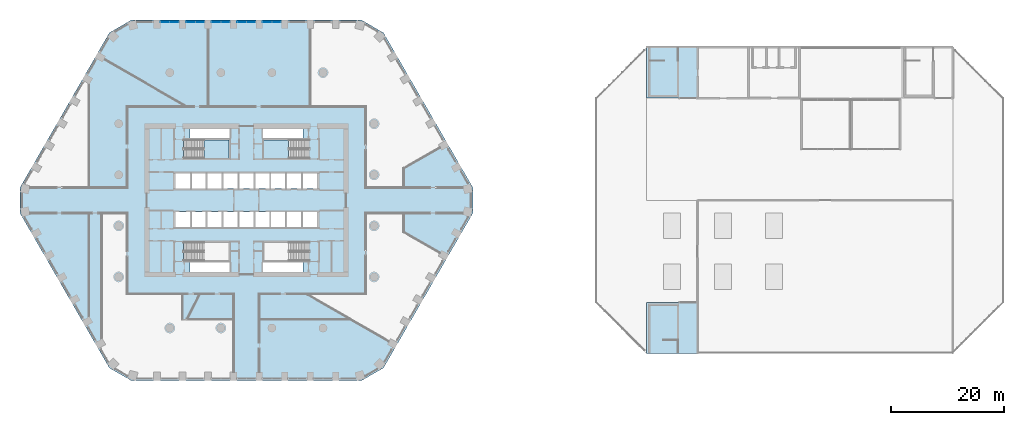
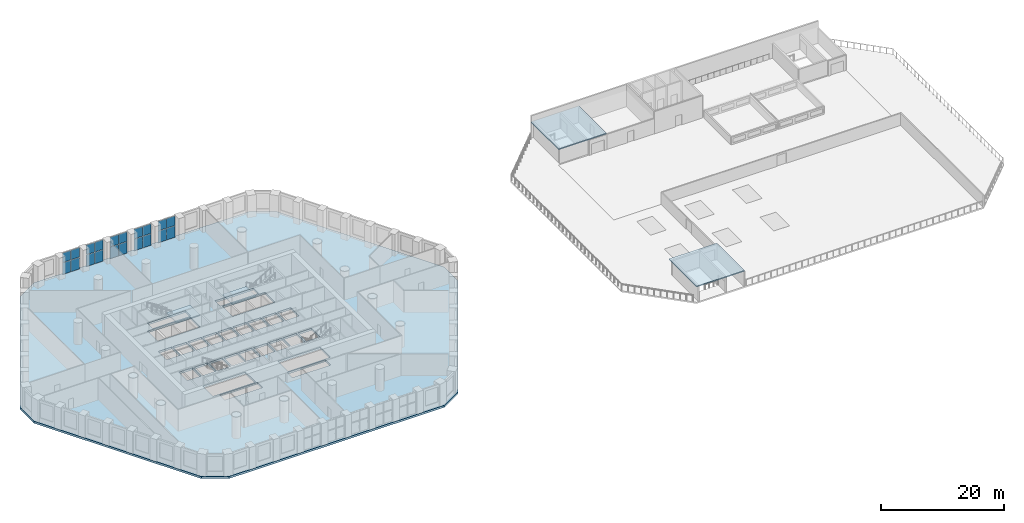
# One storey, part 5 of 21: 20 plates, 5 slabs, 7 elements without a shape of their own.
"""IFC4 building model written with IfcOpenShell, lengths in metres."""

from ifc_helpers import new_model, si_unit, direction, frame, origin, origin_2d, place, context, subcontext, project, spatial, polyline, rectangle, outline, extrude, material, layer, layer_set, type_object, element, aggregate, save


model = new_model("IFC4")

# Units and contexts
model_context = context("Model", 3, precision=1e-05, world=origin(), true_north=direction((0.0, 1.0)))
body_context = subcontext(model_context, "Body", "Model", "MODEL_VIEW")
ifc_project = project(units=[si_unit("LENGTHUNIT", "METRE"), si_unit("AREAUNIT", "SQUARE_METRE"), si_unit("VOLUMEUNIT", "CUBIC_METRE"), si_unit("PLANEANGLEUNIT", "RADIAN"), si_unit("MASSUNIT", "GRAM", prefix="KILO")], contexts=[model_context])

# Site, building, storey
site_placement = place(None, origin())
site = spatial("IfcSite", under=ifc_project, at=site_placement, CompositionType="ELEMENT")
building_placement = place(site_placement, origin())
building = spatial("IfcBuilding", under=site, at=building_placement, Name="Dhurran Vertical Campus", CompositionType="ELEMENT")
storey_placement = place(building_placement, frame((0.0, 0.0, 20.39990234375)))
storey = spatial("IfcBuildingStorey", under=building, at=storey_placement, Name="L04", CompositionType="ELEMENT", Elevation=20.39990234375)

# Slab
ifc_material_1 = material(Name="Concrete C40/50", Category="concrete")
ifc_layer_1 = layer(ifc_material_1, 0.39990234375)
ifc_layer_set_1 = layer_set([ifc_layer_1], Name="Concrete C40/50")
slab_type_1 = type_object("IfcSlabType", Name="FR POST-TENSIONED FLAT SLAB 400", PredefinedType="FLOOR", material=ifc_layer_set_1)
slab_1_placement = place(storey_placement, frame((0.0, 0.0, -0.39990234375)))
element("IfcSlab", 1, at=slab_1_placement, inside=storey, type_object=slab_type_1, Name="Floor slab L04", PredefinedType="FLOOR", context=body_context, shape_type="SweptSolid", body=[
    extrude(outline(polyline([(-20.25, -31.77978515625), (20.25, -31.77978515625), (24.147216796875, -29.52978515625), (39.897216796875, -2.25), (39.897216796875, 2.25), (24.147216796875, 29.52978515625), (20.25, 31.77978515625), (-20.25, 31.77978515625), (-24.147216796875, 29.52978515625), (-39.897216796875, 2.25), (-39.897216796875, -2.25), (-24.147216796875, -29.52978515625), (-20.25, -31.77978515625)]), holes=[polyline([(-12.47509765625, 2.050048828125), (-9.925048828125, 2.050048828125), (-9.925048828125, 4.75), (-12.47509765625, 4.75), (-12.47509765625, 2.050048828125)]), polyline([(-9.675048828125, 2.050048828125), (-7.125, 2.050048828125), (-7.125, 4.75), (-9.675048828125, 4.75), (-9.675048828125, 2.050048828125)]), polyline([(-6.875, 2.050048828125), (-4.324951171875, 2.050048828125), (-4.324951171875, 4.75), (-6.875, 4.75), (-6.875, 2.050048828125)]), polyline([(-1.27490234375, 2.050048828125), (1.27490234375, 2.050048828125), (1.27490234375, 4.75), (-1.27490234375, 4.75), (-1.27490234375, 2.050048828125)]), polyline([(9.925048828125, 2.050048828125), (12.47509765625, 2.050048828125), (12.47509765625, 4.75), (9.925048828125, 4.75), (9.925048828125, 2.050048828125)]), polyline([(-1.27490234375, -4.75), (1.27490234375, -4.75), (1.27490234375, -2.050048828125), (-1.27490234375, -2.050048828125), (-1.27490234375, -4.75)]), polyline([(1.52490234375, -4.75), (4.074951171875, -4.75), (4.074951171875, -2.050048828125), (1.52490234375, -2.050048828125), (1.52490234375, -4.75)]), polyline([(4.324951171875, -4.75), (6.875, -4.75), (6.875, -2.050048828125), (4.324951171875, -2.050048828125), (4.324951171875, -4.75)]), polyline([(7.125, -4.75), (9.675048828125, -4.75), (9.675048828125, -2.050048828125), (7.125, -2.050048828125), (7.125, -4.75)]), polyline([(9.925048828125, -4.75), (12.47509765625, -4.75), (12.47509765625, -2.050048828125), (9.925048828125, -2.050048828125), (9.925048828125, -4.75)]), polyline([(-4.074951171875, 2.050048828125), (-1.52490234375, 2.050048828125), (-1.52490234375, 4.75), (-4.074951171875, 4.75), (-4.074951171875, 2.050048828125)]), polyline([(1.52490234375, 2.050048828125), (4.074951171875, 2.050048828125), (4.074951171875, 4.75), (1.52490234375, 4.75), (1.52490234375, 2.050048828125)]), polyline([(4.324951171875, 2.050048828125), (6.875, 2.050048828125), (6.875, 4.75), (4.324951171875, 4.75), (4.324951171875, 2.050048828125)]), polyline([(7.125, 2.050048828125), (9.675048828125, 2.050048828125), (9.675048828125, 4.75), (7.125, 4.75), (7.125, 2.050048828125)]), polyline([(-12.47509765625, -4.75), (-9.925048828125, -4.75), (-9.925048828125, -2.050048828125), (-12.47509765625, -2.050048828125), (-12.47509765625, -4.75)]), polyline([(-9.675048828125, -4.75), (-7.125, -4.75), (-7.125, -2.050048828125), (-9.675048828125, -2.050048828125), (-9.675048828125, -4.75)]), polyline([(-6.875, -4.75), (-4.324951171875, -4.75), (-4.324951171875, -2.050048828125), (-6.875, -2.050048828125), (-6.875, -4.75)]), polyline([(-4.074951171875, -4.75), (-1.52490234375, -4.75), (-1.52490234375, -2.050048828125), (-4.074951171875, -2.050048828125), (-4.074951171875, -4.75)]), polyline([(-11.050048828125, 7.39990234375), (-3.050048828125, 7.39990234375), (-3.050048828125, 10.64990234375), (-11.050048828125, 10.64990234375), (-11.050048828125, 7.39990234375)]), polyline([(3.050048828125, 7.39990234375), (11.050048828125, 7.39990234375), (11.050048828125, 10.64990234375), (3.050048828125, 10.64990234375), (3.050048828125, 7.39990234375)]), polyline([(-11.050048828125, -10.64990234375), (-3.050048828125, -10.64990234375), (-3.050048828125, -7.39990234375), (-11.050048828125, -7.39990234375), (-11.050048828125, -10.64990234375)]), polyline([(3.050048828125, -10.64990234375), (11.050048828125, -10.64990234375), (11.050048828125, -7.39990234375), (3.050048828125, -7.39990234375), (3.050048828125, -10.64990234375)]), polyline([(-9.949951171875, 10.89990234375), (-9.949951171875, 12.60009765625), (-2.800048828125, 12.60009765625), (-2.800048828125, 10.89990234375), (-9.949951171875, 10.89990234375)]), polyline([(9.949951171875, 12.60009765625), (9.949951171875, 10.89990234375), (2.800048828125, 10.89990234375), (2.800048828125, 12.60009765625), (9.949951171875, 12.60009765625)]), polyline([(-9.949951171875, -12.60009765625), (-9.949951171875, -10.89990234375), (-2.800048828125, -10.89990234375), (-2.800048828125, -12.60009765625), (-9.949951171875, -12.60009765625)]), polyline([(9.949951171875, -10.89990234375), (9.949951171875, -12.60009765625), (2.800048828125, -12.60009765625), (2.800048828125, -10.89990234375), (9.949951171875, -10.89990234375)])]), origin(), (0.0, 0.0, 1.0), 0.39990234375),
])

# Curtain wall, plates
ifc_material_2 = material(Name="Aluminium frame with solar-control glass", Category="aluminium")
ifc_layer_2 = layer(ifc_material_2, 0.25)
ifc_layer_set_2 = layer_set([ifc_layer_2], Name="Aluminium frame with solar-control glass")
curtain_wall_type = type_object("IfcCurtainWallType", Name="Library atrium glazing system", PredefinedType="NOTDEFINED", material=ifc_layer_set_2)
curtain_wall_1_placement = place(storey_placement, origin())
curtain_wall_1 = element("IfcCurtainWall", 2, at=curtain_wall_1_placement, inside=storey, type_object=curtain_wall_type, Name="CW2 L04.29", PredefinedType="NOTDEFINED")
ifc_material_3 = material(Name="Clear solar-control glass", Category="glass")
ifc_layer_3 = layer(ifc_material_3, 0.028076171875)
ifc_layer_set_3 = layer_set([ifc_layer_3], Name="Clear solar-control glass")
plate_type = type_object("IfcPlateType", Name="Library atrium glazing system panel", PredefinedType="CURTAIN_PANEL", material=ifc_layer_set_3)
plate_1_placement = place(storey_placement, frame((5.309814453125, 31.4296875, 0.06005859375), z_axis=(0.0, 0.0, 1.0), x_axis=(-1.0, 0.0, 0.0)))
plate_1 = element("IfcPlate", 3, at=plate_1_placement, type_object=plate_type, Name="CW2 panel 1.1", PredefinedType="CURTAIN_PANEL", context=body_context, shape_type="SweptSolid", body=[
    extrude(rectangle(XDim=1.5595703125, YDim=0.028076171875, at=origin_2d()), origin(), (0.0, 0.0, 1.0), 2.31005859375),
])
plate_2_placement = place(storey_placement, frame((5.309814453125, 31.4296875, 2.43017578125), z_axis=(0.0, 0.0, 1.0), x_axis=(-1.0, 0.0, 0.0)))
plate_2 = element("IfcPlate", 4, at=plate_2_placement, type_object=plate_type, Name="CW2 panel 1.2", PredefinedType="CURTAIN_PANEL", context=body_context, shape_type="SweptSolid", body=[
    extrude(rectangle(XDim=1.5595703125, YDim=0.028076171875, at=origin_2d()), origin(), (0.0, 0.0, 1.0), 1.909912109375),
])
plate_3_placement = place(storey_placement, frame((3.690185546875, 31.4296875, 0.06005859375), z_axis=(0.0, 0.0, 1.0), x_axis=(-1.0, 0.0, 0.0)))
plate_3 = element("IfcPlate", 5, at=plate_3_placement, type_object=plate_type, Name="CW2 panel 2.1", PredefinedType="CURTAIN_PANEL", context=body_context, shape_type="SweptSolid", body=[
    extrude(rectangle(XDim=1.5595703125, YDim=0.028076171875, at=origin_2d()), origin(), (0.0, 0.0, 1.0), 2.31005859375),
])
plate_4_placement = place(storey_placement, frame((3.690185546875, 31.4296875, 2.43017578125), z_axis=(0.0, 0.0, 1.0), x_axis=(-1.0, 0.0, 0.0)))
plate_4 = element("IfcPlate", 6, at=plate_4_placement, type_object=plate_type, Name="CW2 panel 2.2", PredefinedType="CURTAIN_PANEL", context=body_context, shape_type="SweptSolid", body=[
    extrude(rectangle(XDim=1.5595703125, YDim=0.028076171875, at=origin_2d()), origin(), (0.0, 0.0, 1.0), 1.909912109375),
])
aggregate(curtain_wall_1, [plate_1, plate_2, plate_3, plate_4])

curtain_wall_2_placement = place(storey_placement, origin())
curtain_wall_2 = element("IfcCurtainWall", 7, at=curtain_wall_2_placement, inside=storey, type_object=curtain_wall_type, Name="CW2 L04.30", PredefinedType="NOTDEFINED")
plate_5_placement = place(storey_placement, frame((0.809814453125, 31.4296875, 0.06005859375), z_axis=(0.0, 0.0, 1.0), x_axis=(-1.0, 0.0, 0.0)))
plate_5 = element("IfcPlate", 8, at=plate_5_placement, type_object=plate_type, Name="CW2 panel 1.1", PredefinedType="CURTAIN_PANEL", context=body_context, shape_type="SweptSolid", body=[
    extrude(rectangle(XDim=1.5595703125, YDim=0.028076171875, at=origin_2d()), origin(), (0.0, 0.0, 1.0), 2.31005859375),
])
plate_6_placement = place(storey_placement, frame((0.809814453125, 31.4296875, 2.43017578125), z_axis=(0.0, 0.0, 1.0), x_axis=(-1.0, 0.0, 0.0)))
plate_6 = element("IfcPlate", 9, at=plate_6_placement, type_object=plate_type, Name="CW2 panel 1.2", PredefinedType="CURTAIN_PANEL", context=body_context, shape_type="SweptSolid", body=[
    extrude(rectangle(XDim=1.5595703125, YDim=0.028076171875, at=origin_2d()), origin(), (0.0, 0.0, 1.0), 1.909912109375),
])
plate_7_placement = place(storey_placement, frame((-0.809814453125, 31.4296875, 0.06005859375), z_axis=(0.0, 0.0, 1.0), x_axis=(-1.0, 0.0, 0.0)))
plate_7 = element("IfcPlate", 10, at=plate_7_placement, type_object=plate_type, Name="CW2 panel 2.1", PredefinedType="CURTAIN_PANEL", context=body_context, shape_type="SweptSolid", body=[
    extrude(rectangle(XDim=1.5595703125, YDim=0.028076171875, at=origin_2d()), origin(), (0.0, 0.0, 1.0), 2.31005859375),
])
plate_8_placement = place(storey_placement, frame((-0.809814453125, 31.4296875, 2.43017578125), z_axis=(0.0, 0.0, 1.0), x_axis=(-1.0, 0.0, 0.0)))
plate_8 = element("IfcPlate", 11, at=plate_8_placement, type_object=plate_type, Name="CW2 panel 2.2", PredefinedType="CURTAIN_PANEL", context=body_context, shape_type="SweptSolid", body=[
    extrude(rectangle(XDim=1.5595703125, YDim=0.028076171875, at=origin_2d()), origin(), (0.0, 0.0, 1.0), 1.909912109375),
])
aggregate(curtain_wall_2, [plate_5, plate_6, plate_7, plate_8])

curtain_wall_3_placement = place(storey_placement, origin())
curtain_wall_3 = element("IfcCurtainWall", 12, at=curtain_wall_3_placement, inside=storey, type_object=curtain_wall_type, Name="CW2 L04.31", PredefinedType="NOTDEFINED")
plate_9_placement = place(storey_placement, frame((-3.690185546875, 31.4296875, 0.06005859375), z_axis=(0.0, 0.0, 1.0), x_axis=(-1.0, 0.0, 0.0)))
plate_9 = element("IfcPlate", 13, at=plate_9_placement, type_object=plate_type, Name="CW2 panel 1.1", PredefinedType="CURTAIN_PANEL", context=body_context, shape_type="SweptSolid", body=[
    extrude(rectangle(XDim=1.5595703125, YDim=0.028076171875, at=origin_2d()), origin(), (0.0, 0.0, 1.0), 2.31005859375),
])
plate_10_placement = place(storey_placement, frame((-3.690185546875, 31.4296875, 2.43017578125), z_axis=(0.0, 0.0, 1.0), x_axis=(-1.0, 0.0, 0.0)))
plate_10 = element("IfcPlate", 14, at=plate_10_placement, type_object=plate_type, Name="CW2 panel 1.2", PredefinedType="CURTAIN_PANEL", context=body_context, shape_type="SweptSolid", body=[
    extrude(rectangle(XDim=1.5595703125, YDim=0.028076171875, at=origin_2d()), origin(), (0.0, 0.0, 1.0), 1.909912109375),
])
plate_11_placement = place(storey_placement, frame((-5.309814453125, 31.4296875, 0.06005859375), z_axis=(0.0, 0.0, 1.0), x_axis=(-1.0, 0.0, 0.0)))
plate_11 = element("IfcPlate", 15, at=plate_11_placement, type_object=plate_type, Name="CW2 panel 2.1", PredefinedType="CURTAIN_PANEL", context=body_context, shape_type="SweptSolid", body=[
    extrude(rectangle(XDim=1.5595703125, YDim=0.028076171875, at=origin_2d()), origin(), (0.0, 0.0, 1.0), 2.31005859375),
])
plate_12_placement = place(storey_placement, frame((-5.309814453125, 31.4296875, 2.43017578125), z_axis=(0.0, 0.0, 1.0), x_axis=(-1.0, 0.0, 0.0)))
plate_12 = element("IfcPlate", 16, at=plate_12_placement, type_object=plate_type, Name="CW2 panel 2.2", PredefinedType="CURTAIN_PANEL", context=body_context, shape_type="SweptSolid", body=[
    extrude(rectangle(XDim=1.5595703125, YDim=0.028076171875, at=origin_2d()), origin(), (0.0, 0.0, 1.0), 1.909912109375),
])
aggregate(curtain_wall_3, [plate_9, plate_10, plate_11, plate_12])

curtain_wall_4_placement = place(storey_placement, origin())
curtain_wall_4 = element("IfcCurtainWall", 17, at=curtain_wall_4_placement, inside=storey, type_object=curtain_wall_type, Name="CW2 L04.32", PredefinedType="NOTDEFINED")
plate_13_placement = place(storey_placement, frame((-8.190185546875, 31.4296875, 0.06005859375), z_axis=(0.0, 0.0, 1.0), x_axis=(-1.0, 0.0, 0.0)))
plate_13 = element("IfcPlate", 18, at=plate_13_placement, type_object=plate_type, Name="CW2 panel 1.1", PredefinedType="CURTAIN_PANEL", context=body_context, shape_type="SweptSolid", body=[
    extrude(rectangle(XDim=1.5595703125, YDim=0.028076171875, at=origin_2d()), origin(), (0.0, 0.0, 1.0), 2.31005859375),
])
plate_14_placement = place(storey_placement, frame((-8.190185546875, 31.4296875, 2.43017578125), z_axis=(0.0, 0.0, 1.0), x_axis=(-1.0, 0.0, 0.0)))
plate_14 = element("IfcPlate", 19, at=plate_14_placement, type_object=plate_type, Name="CW2 panel 1.2", PredefinedType="CURTAIN_PANEL", context=body_context, shape_type="SweptSolid", body=[
    extrude(rectangle(XDim=1.5595703125, YDim=0.028076171875, at=origin_2d()), origin(), (0.0, 0.0, 1.0), 1.909912109375),
])
plate_15_placement = place(storey_placement, frame((-9.809814453125, 31.4296875, 0.06005859375), z_axis=(0.0, 0.0, 1.0), x_axis=(-1.0, 0.0, 0.0)))
plate_15 = element("IfcPlate", 20, at=plate_15_placement, type_object=plate_type, Name="CW2 panel 2.1", PredefinedType="CURTAIN_PANEL", context=body_context, shape_type="SweptSolid", body=[
    extrude(rectangle(XDim=1.5595703125, YDim=0.028076171875, at=origin_2d()), origin(), (0.0, 0.0, 1.0), 2.31005859375),
])
plate_16_placement = place(storey_placement, frame((-9.809814453125, 31.4296875, 2.43017578125), z_axis=(0.0, 0.0, 1.0), x_axis=(-1.0, 0.0, 0.0)))
plate_16 = element("IfcPlate", 21, at=plate_16_placement, type_object=plate_type, Name="CW2 panel 2.2", PredefinedType="CURTAIN_PANEL", context=body_context, shape_type="SweptSolid", body=[
    extrude(rectangle(XDim=1.5595703125, YDim=0.028076171875, at=origin_2d()), origin(), (0.0, 0.0, 1.0), 1.909912109375),
])
aggregate(curtain_wall_4, [plate_13, plate_14, plate_15, plate_16])

curtain_wall_5_placement = place(storey_placement, origin())
curtain_wall_5 = element("IfcCurtainWall", 22, at=curtain_wall_5_placement, inside=storey, type_object=curtain_wall_type, Name="CW2 L04.33", PredefinedType="NOTDEFINED")
plate_17_placement = place(storey_placement, frame((-12.690185546875, 31.4296875, 0.06005859375), z_axis=(0.0, 0.0, 1.0), x_axis=(-1.0, 0.0, 0.0)))
plate_17 = element("IfcPlate", 23, at=plate_17_placement, type_object=plate_type, Name="CW2 panel 1.1", PredefinedType="CURTAIN_PANEL", context=body_context, shape_type="SweptSolid", body=[
    extrude(rectangle(XDim=1.5595703125, YDim=0.028076171875, at=origin_2d()), origin(), (0.0, 0.0, 1.0), 2.31005859375),
])
plate_18_placement = place(storey_placement, frame((-12.690185546875, 31.4296875, 2.43017578125), z_axis=(0.0, 0.0, 1.0), x_axis=(-1.0, 0.0, 0.0)))
plate_18 = element("IfcPlate", 24, at=plate_18_placement, type_object=plate_type, Name="CW2 panel 1.2", PredefinedType="CURTAIN_PANEL", context=body_context, shape_type="SweptSolid", body=[
    extrude(rectangle(XDim=1.5595703125, YDim=0.028076171875, at=origin_2d()), origin(), (0.0, 0.0, 1.0), 1.909912109375),
])
plate_19_placement = place(storey_placement, frame((-14.309814453125, 31.4296875, 0.06005859375), z_axis=(0.0, 0.0, 1.0), x_axis=(-1.0, 0.0, 0.0)))
plate_19 = element("IfcPlate", 25, at=plate_19_placement, type_object=plate_type, Name="CW2 panel 2.1", PredefinedType="CURTAIN_PANEL", context=body_context, shape_type="SweptSolid", body=[
    extrude(rectangle(XDim=1.5595703125, YDim=0.028076171875, at=origin_2d()), origin(), (0.0, 0.0, 1.0), 2.31005859375),
])
plate_20_placement = place(storey_placement, frame((-14.309814453125, 31.4296875, 2.43017578125), z_axis=(0.0, 0.0, 1.0), x_axis=(-1.0, 0.0, 0.0)))
plate_20 = element("IfcPlate", 26, at=plate_20_placement, type_object=plate_type, Name="CW2 panel 2.2", PredefinedType="CURTAIN_PANEL", context=body_context, shape_type="SweptSolid", body=[
    extrude(rectangle(XDim=1.5595703125, YDim=0.028076171875, at=origin_2d()), origin(), (0.0, 0.0, 1.0), 1.909912109375),
])
aggregate(curtain_wall_5, [plate_17, plate_18, plate_19, plate_20])

# Stair, slab
ifc_material_4 = material(Name="Concrete C40/50", Category="concrete")
stair_type = type_object("IfcStairType", Name="co-ST-CORE", PredefinedType="HALF_TURN_STAIR", material=ifc_material_4)
stair_1_placement = place(storey_placement, origin())
stair_1 = element("IfcStair", 27, at=stair_1_placement, inside=storey, type_object=stair_type, Name="L04 Protected exit stair ST1", PredefinedType="HALF_TURN_STAIR")
ifc_material_5 = material(Name="Concrete C40/50", Category="concrete")
ifc_layer_4 = layer(ifc_material_5, 0.199951171875)
ifc_layer_set_4 = layer_set([ifc_layer_4], Name="Concrete C40/50")
slab_type_2 = type_object("IfcSlabType", Name="co-SL-LANDING", PredefinedType="LANDING", material=ifc_layer_set_4)
slab_2_placement = place(storey_placement, frame((0.0, 0.0, 2.2001953125)))
slab_2 = element("IfcSlab", 28, at=slab_2_placement, type_object=slab_type_2, Name="ST1 landing 1", PredefinedType="LANDING", context=body_context, shape_type="SweptSolid", body=[
    extrude(outline(polyline([(-7.4599609375, 7.39990234375), (-3.050048828125, 7.39990234375), (-3.050048828125, 10.64990234375), (-7.4599609375, 10.64990234375), (-7.4599609375, 7.39990234375)])), origin(), (0.0, 0.0, 1.0), 0.199951171875),
])
aggregate(stair_1, [slab_2])

stair_2_placement = place(storey_placement, origin())
stair_2 = element("IfcStair", 29, at=stair_2_placement, inside=storey, type_object=stair_type, Name="L04 Protected exit stair ST2", PredefinedType="HALF_TURN_STAIR")
slab_3_placement = place(storey_placement, frame((0.0, 0.0, 2.2001953125)))
slab_3 = element("IfcSlab", 30, at=slab_3_placement, type_object=slab_type_2, Name="ST2 landing 1", PredefinedType="LANDING", context=body_context, shape_type="SweptSolid", body=[
    extrude(outline(polyline([(7.4599609375, 10.64990234375), (3.050048828125, 10.64990234375), (3.050048828125, 7.39990234375), (7.4599609375, 7.39990234375), (7.4599609375, 10.64990234375)])), origin(), (0.0, 0.0, 1.0), 0.199951171875),
])
aggregate(stair_2, [slab_3])

# Slabs
ifc_material_6 = material(Name="Concrete C40/50", Category="concrete")
ifc_layer_5 = layer(ifc_material_6, 0.199951171875)
ifc_layer_set_5 = layer_set([ifc_layer_5], Name="Concrete C40/50")
slab_type_3 = type_object("IfcSlabType", Name="hl-head house roof slab 200", PredefinedType="ROOF", material=ifc_layer_set_5)
slab_4_placement = place(storey_placement, frame((0.0, 0.0, 3.0)))
element("IfcSlab", 31, at=slab_4_placement, inside=storey, type_object=slab_type_3, Name="Head house roof 1", PredefinedType="ROOF", context=body_context, shape_type="SweptSolid", body=[
    extrude(outline(polyline([(79.5, 27.0), (70.5, 27.0), (70.5, 18.0), (79.5, 18.0), (79.5, 27.0)])), origin(), (0.0, 0.0, 1.0), 0.2001953125),
])
slab_5_placement = place(storey_placement, frame((0.0, 0.0, 3.0)))
element("IfcSlab", 32, at=slab_5_placement, inside=storey, type_object=slab_type_3, Name="Head house roof 5", PredefinedType="ROOF", context=body_context, shape_type="SweptSolid", body=[
    extrude(outline(polyline([(70.5, -27.0), (79.5, -27.0), (79.5, -18.0), (70.5, -18.0), (70.5, -27.0)])), origin(), (0.0, 0.0, 1.0), 0.2001953125),
])

save(model, "model.ifc")
